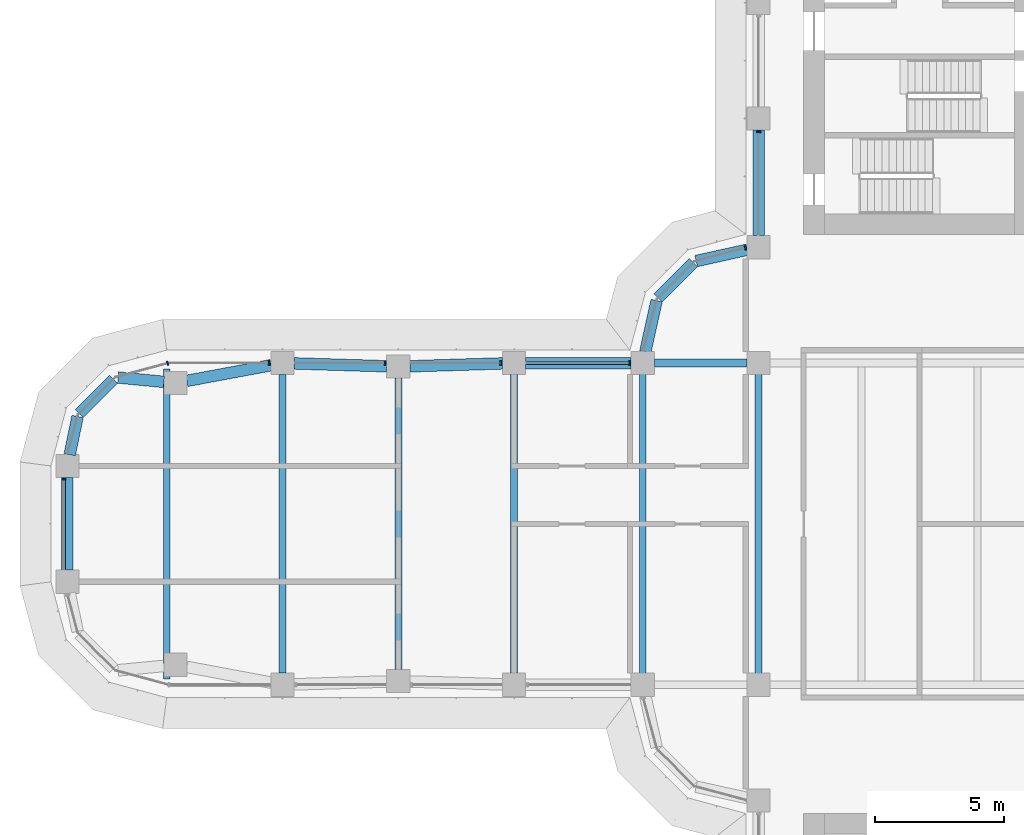
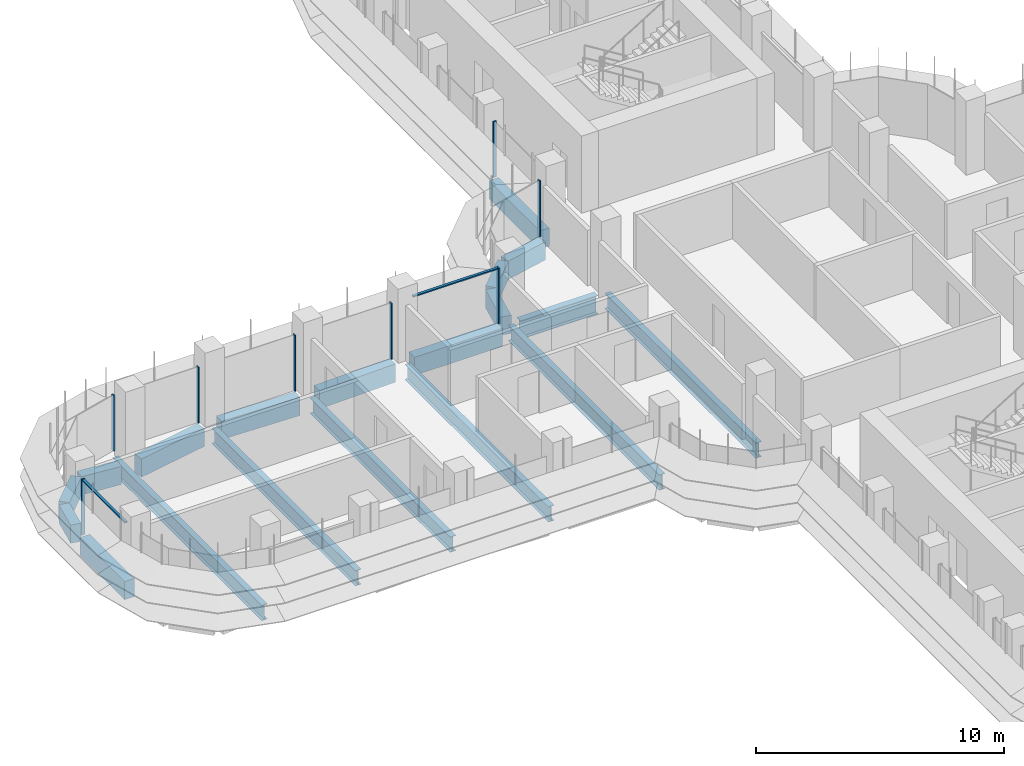
# One storey, part 6 of 22: 19 beams, 10 members, 5 elements without a shape of their own.
"""IFC4 building model written with IfcOpenShell, lengths in metres."""

from ifc_helpers import new_model, si_unit, direction, frame, origin, origin_2d, place, context, subcontext, project, spatial, polyline, rectangle, i_section, outline, extrude, source, transform, mapped, material, material_profile, profile_set, type_object, element, aggregate, save


model = new_model("IFC4")

# Units and contexts
model_context = context("Model", 3, precision=1e-05, world=origin(), true_north=direction((0.0, 1.0)))
body_context = subcontext(model_context, "Body", "Model", "MODEL_VIEW")
ifc_project = project(units=[si_unit("LENGTHUNIT", "METRE"), si_unit("AREAUNIT", "SQUARE_METRE"), si_unit("VOLUMEUNIT", "CUBIC_METRE"), si_unit("PLANEANGLEUNIT", "RADIAN"), si_unit("MASSUNIT", "GRAM", prefix="KILO")], contexts=[model_context])

# Site, building, storey
site_placement = place(None, origin())
site = spatial("IfcSite", under=ifc_project, at=site_placement, CompositionType="ELEMENT")
building_placement = place(site_placement, origin())
building = spatial("IfcBuilding", under=site, at=building_placement, Name="Zarbagh Exchange Tower", CompositionType="ELEMENT")
storey_placement = place(building_placement, frame((0.0, 0.0, 105.60009765625)))
storey = spatial("IfcBuildingStorey", under=building, at=storey_placement, Name="L24", CompositionType="ELEMENT", Elevation=105.60009765625)

# Beams
ifc_material_1 = material(Name="Steel ASTM A992 Gr 50", Category="steel")
ifc_material_profile_1 = material_profile(ifc_material_1, i_section(OverallWidth=0.2666015625, OverallDepth=0.7568359375, WebThickness=0.013916015625, FlangeThickness=0.019287109375, at=origin_2d()), Name="W30X108")
ifc_profile_set_1 = profile_set([ifc_material_profile_1], Name="Steel ASTM A992 Gr 50")
beam_type_1 = type_object("IfcBeamType", Name="Floor beam W30X108", PredefinedType="BEAM", material=ifc_profile_set_1)
for number, where, z_axis, x_axis, name in (
    (1, (-10.75, -6.09765625, -0.528564453125), (0.0, 1.0, 0.0), (-1.0, 0.0, 0.0), "Steel floor beam"),
    (2, (-6.25, -6.09765625, -0.528564453125), (0.0, 1.0, 0.0), (-1.0, 0.0, 0.0), "Steel floor beam"),
):
    element("IfcBeam", number, at=place(storey_placement, frame(where, z_axis=z_axis, x_axis=x_axis)), inside=storey, type_object=beam_type_1, Name=name, PredefinedType="BEAM", context=body_context, shape_type="SweptSolid", body=[
        extrude(i_section(OverallWidth=0.2666015625, OverallDepth=0.7568359375, WebThickness=0.013916015625, FlangeThickness=0.019287109375, at=origin_2d()), origin(), (0.0, 0.0, 1.0), 12.1953125),
    ])
beam_1_placement = place(storey_placement, frame((-15.75, -5.800048828125, -0.528564453125), z_axis=(0.0, 1.0, 0.0), x_axis=(-1.0, 0.0, 0.0)))
element("IfcBeam", 3, at=beam_1_placement, inside=storey, type_object=beam_type_1, Name="Steel floor beam", PredefinedType="BEAM", context=body_context, shape_type="SweptSolid", body=[
    extrude(i_section(OverallWidth=0.2666015625, OverallDepth=0.7568359375, WebThickness=0.013916015625, FlangeThickness=0.019287109375, at=origin_2d()), origin(), (0.0, 0.0, 1.0), 11.60009765625),
])
beam_2_placement = place(storey_placement, frame((-20.25, -5.659912109375, -0.528564453125), z_axis=(0.0, 1.0, 0.0), x_axis=(-1.0, 0.0, 0.0)))
element("IfcBeam", 4, at=beam_2_placement, inside=storey, type_object=beam_type_1, Name="Steel floor beam", PredefinedType="BEAM", context=body_context, shape_type="SweptSolid", body=[
    extrude(i_section(OverallWidth=0.2666015625, OverallDepth=0.7568359375, WebThickness=0.013916015625, FlangeThickness=0.019287109375, at=origin_2d()), origin(), (0.0, 0.0, 1.0), 11.31982421875),
])
beam_3_placement = place(storey_placement, frame((-24.75, -5.800048828125, -0.528564453125), z_axis=(0.0, 1.0, 0.0), x_axis=(-1.0, 0.0, 0.0)))
element("IfcBeam", 5, at=beam_3_placement, inside=storey, type_object=beam_type_1, Name="Steel floor beam", PredefinedType="BEAM", context=body_context, shape_type="SweptSolid", body=[
    extrude(i_section(OverallWidth=0.2666015625, OverallDepth=0.7568359375, WebThickness=0.013916015625, FlangeThickness=0.019287109375, at=origin_2d()), origin(), (0.0, 0.0, 1.0), 11.60009765625),
])
beam_4_placement = place(storey_placement, frame((-29.25, -6.02490234375, -0.528564453125), z_axis=(0.0, 1.0, 0.0), x_axis=(-1.0, 0.0, 0.0)))
element("IfcBeam", 6, at=beam_4_placement, inside=storey, type_object=beam_type_1, Name="Steel floor beam", PredefinedType="BEAM", context=body_context, shape_type="SweptSolid", body=[
    extrude(i_section(OverallWidth=0.2666015625, OverallDepth=0.7568359375, WebThickness=0.013916015625, FlangeThickness=0.019287109375, at=origin_2d()), origin(), (0.0, 0.0, 1.0), 12.0498046875),
])
ifc_material_profile_2 = material_profile(ifc_material_1, i_section(OverallWidth=0.3046875, OverallDepth=0.911865234375, WebThickness=0.015869140625, FlangeThickness=0.02392578125, at=origin_2d()), Name="W36X150")
ifc_profile_set_2 = profile_set([ifc_material_profile_2], Name="Steel ASTM A992 Gr 50")
beam_type_2 = type_object("IfcBeamType", Name="Floor girder W36X150", PredefinedType="BEAM", material=ifc_profile_set_2)
beam_5_placement = place(storey_placement, frame((-10.300048828125, 6.25, -0.60595703125), z_axis=(1.0, 0.0, 0.0), x_axis=(0.0, 1.0, 0.0)))
element("IfcBeam", 7, at=beam_5_placement, inside=storey, type_object=beam_type_2, Name="Steel girder", PredefinedType="BEAM", context=body_context, shape_type="SweptSolid", body=[
    extrude(i_section(OverallWidth=0.3046875, OverallDepth=0.911865234375, WebThickness=0.015869140625, FlangeThickness=0.02392578125, at=origin_2d()), origin(), (0.0, 0.0, 1.0), 3.60009765625),
])
ifc_material_2 = material(Name="Concrete C60/75", Category="concrete")
ifc_material_profile_3 = material_profile(ifc_material_2, rectangle(XDim=0.449951171875, YDim=0.89990234375, at=origin_2d()), Name="RC spandrel beam 450 x 900 C60/75")
ifc_profile_set_3 = profile_set([ifc_material_profile_3], Name="Concrete C60/75")
beam_type_3 = type_object("IfcBeamType", Name="RC spandrel beam 450 x 900 C60/75", PredefinedType="SPANDREL", material=ifc_profile_set_3)
beam_6_placement = place(storey_placement, frame((-33.110107421875, -1.800048828125, -0.60009765625), z_axis=(0.0, 1.0, 0.0), x_axis=(-1.0, 0.0, 0.0)))
element("IfcBeam", 8, at=beam_6_placement, inside=storey, type_object=beam_type_3, Name="RC spandrel beam", PredefinedType="SPANDREL", context=body_context, shape_type="SweptSolid", body=[
    extrude(rectangle(XDim=0.449951171875, YDim=0.89990234375, at=origin_2d()), origin(), (0.0, 0.0, 1.0), 3.60009765625),
])
beam_7_placement = place(storey_placement, frame((-33.01904296875, 2.690673828125, -0.60009765625), z_axis=(0.202275417995, 0.979328675816, 0.0), x_axis=(-0.979328675816, 0.202275417995, 0.0)))
element("IfcBeam", 9, at=beam_7_placement, inside=storey, type_object=beam_type_3, Name="RC spandrel beam", PredefinedType="SPANDREL", context=body_context, shape_type="SweptSolid", body=[
    extrude(rectangle(XDim=0.449951171875, YDim=0.89990234375, at=origin_2d()), origin(), (0.0, 0.0, 1.0), 1.515869140625),
])
beam_8_placement = place(storey_placement, frame((-32.651123046875, 4.288818359375, -0.60009765625), z_axis=(0.707106781187, 0.707106781187, 0.0), x_axis=(-0.707106781187, 0.707106781187, 0.0)))
element("IfcBeam", 10, at=beam_8_placement, inside=storey, type_object=beam_type_3, Name="RC spandrel beam", PredefinedType="SPANDREL", context=body_context, shape_type="SweptSolid", body=[
    extrude(rectangle(XDim=0.449951171875, YDim=0.89990234375, at=origin_2d()), origin(), (0.0, 0.0, 1.0), 1.887939453125),
])
beam_9_placement = place(storey_placement, frame((-31.135498046875, 5.688720703125, -0.60009765625), z_axis=(0.995433267802, -0.095459988228, 0.0), x_axis=(0.095459988228, 0.995433267802, 0.0)))
element("IfcBeam", 11, at=beam_9_placement, inside=storey, type_object=beam_type_3, Name="RC spandrel beam", PredefinedType="SPANDREL", context=body_context, shape_type="SweptSolid", body=[
    extrude(rectangle(XDim=0.449951171875, YDim=0.89990234375, at=origin_2d()), origin(), (0.0, 0.0, 1.0), 1.78759765625),
])
beam_10_placement = place(storey_placement, frame((-28.465576171875, 5.5576171875, -0.60009765625), z_axis=(0.98308156541, 0.183168326277, 0.0), x_axis=(-0.183168326277, 0.98308156541, 0.0)))
element("IfcBeam", 12, at=beam_10_placement, inside=storey, type_object=beam_type_3, Name="RC spandrel beam", PredefinedType="SPANDREL", context=body_context, shape_type="SweptSolid", body=[
    extrude(rectangle(XDim=0.449951171875, YDim=0.89990234375, at=origin_2d()), origin(), (0.0, 0.0, 1.0), 3.32958984375),
])
for number, where, z_axis, x_axis, name in (
    (13, (-24.30029296875, 6.236083984375, -0.60009765625), (0.999516035224, -0.031107801747, 0.0), (0.031107801747, 0.999516035224, 0.0), "RC spandrel beam"),
    (14, (-19.80029296875, 6.1240234375, -0.60009765625), (0.999516035224, 0.031107801747, 0.0), (-0.031107801747, 0.999516035224, 0.0), "RC spandrel beam"),
):
    element("IfcBeam", number, at=place(storey_placement, frame(where, z_axis=z_axis, x_axis=x_axis)), inside=storey, type_object=beam_type_3, Name=name, PredefinedType="SPANDREL", context=body_context, shape_type="SweptSolid", body=[
        extrude(rectangle(XDim=0.449951171875, YDim=0.89990234375, at=origin_2d()), origin(), (0.0, 0.0, 1.0), 3.602294921875),
    ])
beam_11_placement = place(storey_placement, frame((-15.300048828125, 6.25, -0.60009765625), z_axis=(1.0, 0.0, 0.0), x_axis=(0.0, 1.0, 0.0)))
element("IfcBeam", 15, at=beam_11_placement, inside=storey, type_object=beam_type_3, Name="RC spandrel beam", PredefinedType="SPANDREL", context=body_context, shape_type="SweptSolid", body=[
    extrude(rectangle(XDim=0.449951171875, YDim=0.89990234375, at=origin_2d()), origin(), (0.0, 0.0, 1.0), 4.10009765625),
])
beam_12_placement = place(storey_placement, frame((-10.65283203125, 6.689453125, -0.60009765625), z_axis=(0.216117666208, 0.976367325525, 0.0), x_axis=(-0.976367325525, 0.216117666208, 0.0)))
element("IfcBeam", 16, at=beam_12_placement, inside=storey, type_object=beam_type_3, Name="RC spandrel beam", PredefinedType="SPANDREL", context=body_context, shape_type="SweptSolid", body=[
    extrude(rectangle(XDim=0.449951171875, YDim=0.89990234375, at=origin_2d()), origin(), (0.0, 0.0, 1.0), 2.03564453125),
])
beam_13_placement = place(storey_placement, frame((-10.15234375, 8.78759765625, -0.60009765625), z_axis=(0.707106781187, 0.707106781187, 0.0), x_axis=(-0.707106781187, 0.707106781187, 0.0)))
element("IfcBeam", 17, at=beam_13_placement, inside=storey, type_object=beam_type_3, Name="RC spandrel beam", PredefinedType="SPANDREL", context=body_context, shape_type="SweptSolid", body=[
    extrude(rectangle(XDim=0.449951171875, YDim=0.89990234375, at=origin_2d()), origin(), (0.0, 0.0, 1.0), 1.929931640625),
])
beam_14_placement = place(storey_placement, frame((-8.677001953125, 10.212890625, -0.60009765625), z_axis=(0.976367325525, 0.216117666208, 0.0), x_axis=(-0.216117666208, 0.976367325525, 0.0)))
element("IfcBeam", 18, at=beam_14_placement, inside=storey, type_object=beam_type_3, Name="RC spandrel beam", PredefinedType="SPANDREL", context=body_context, shape_type="SweptSolid", body=[
    extrude(rectangle(XDim=0.449951171875, YDim=0.89990234375, at=origin_2d()), origin(), (0.0, 0.0, 1.0), 2.03564453125),
])
beam_15_placement = place(storey_placement, frame((-6.25, 11.199951171875, -0.60009765625), z_axis=(0.0, 1.0, 0.0), x_axis=(-1.0, 0.0, 0.0)))
element("IfcBeam", 19, at=beam_15_placement, inside=storey, type_object=beam_type_3, Name="RC spandrel beam", PredefinedType="SPANDREL", context=body_context, shape_type="SweptSolid", body=[
    extrude(rectangle(XDim=0.449951171875, YDim=0.89990234375, at=origin_2d()), origin(), (0.0, 0.0, 1.0), 4.10009765625),
])

# Curtain wall, member
ifc_material_3 = material(Name="Anodised aluminium frame and glazing", Category="aluminium")
curtain_wall_type = type_object("IfcCurtainWallType", Name="CWA Ribbon glazing, lower zones", PredefinedType="NOTDEFINED", material=ifc_material_3)
curtain_wall_1_placement = place(storey_placement, origin())
curtain_wall_1 = element("IfcCurtainWall", 20, at=curtain_wall_1_placement, inside=storey, type_object=curtain_wall_type, Name="CWA56 curtain wall", PredefinedType="NOTDEFINED")
ifc_material_4 = material(Name="Anodised aluminium frame", Category="aluminium")
member_type_1 = type_object("IfcMemberType", Name="MUA Mullion, anodised aluminium frame", PredefinedType="MULLION", material=ifc_material_4)
shared_shape_1 = source(origin(), body_context, "Body", "SweptSolid", [
    extrude(outline(polyline([(0.0, -0.080078125), (0.06005859375, -0.080078125), (0.06005859375, 0.080078125), (0.0, 0.080078125), (0.0, -0.080078125)])), origin(), (0.0, 0.0, 1.0), 2.75),
])
placement = place(storey_placement, origin())
member_1 = element("IfcMember", 21, at=placement, type_object=member_type_1, Name="CWA56 mullion 4.1", PredefinedType="MULLION", context=body_context, shape_type="MappedRepresentation", body=[
    mapped(shared_shape_1, transform((-6.25, 15.260009765625, 0.0), x_axis=(0.0, -1.0, 0.0), y_axis=(1.0, 0.0, 0.0), z_axis=(0.0, 0.0, 1.0))),
])
aggregate(curtain_wall_1, [member_1])

curtain_wall_2_placement = place(storey_placement, origin())
curtain_wall_2 = element("IfcCurtainWall", 22, at=curtain_wall_2_placement, inside=storey, type_object=curtain_wall_type, Name="CWA29 curtain wall", PredefinedType="NOTDEFINED")
member_2 = element("IfcMember", 23, at=placement, type_object=member_type_1, Name="CWA29 mullion 1.1", PredefinedType="MULLION", context=body_context, shape_type="MappedRepresentation", body=[
    mapped(shared_shape_1, transform((-6.739990234375, 10.735107421875, 0.0), x_axis=(-0.965924289636, -0.258824779902, 0.0), y_axis=(0.258824779902, -0.965924289636, 0.0), z_axis=(0.0, 0.0, 1.0))),
])
aggregate(curtain_wall_2, [member_2])

# Curtain wall, members
curtain_wall_3_placement = place(storey_placement, origin())
curtain_wall_3 = element("IfcCurtainWall", 24, at=curtain_wall_3_placement, inside=storey, type_object=curtain_wall_type, Name="CWA32 curtain wall", PredefinedType="NOTDEFINED")
member_3 = element("IfcMember", 25, at=placement, type_object=member_type_1, Name="CWA32 mullion 1.1", PredefinedType="MULLION", context=body_context, shape_type="MappedRepresentation", body=[
    mapped(shared_shape_1, transform((-11.239990234375, 6.25, 0.0), x_axis=(-1.0, 0.0, 0.0), y_axis=(0.0, -1.0, 0.0), z_axis=(0.0, 0.0, 1.0))),
])
member_4 = element("IfcMember", 26, at=placement, type_object=member_type_1, Name="CWA32 mullion 2.1", PredefinedType="MULLION", context=body_context, shape_type="MappedRepresentation", body=[
    mapped(shared_shape_1, transform((-16.239990234375, 6.25, 0.0), x_axis=(-1.0, 0.0, 0.0), y_axis=(0.0, -1.0, 0.0), z_axis=(0.0, 0.0, 1.0))),
])
member_5 = element("IfcMember", 27, at=placement, type_object=member_type_1, Name="CWA32 mullion 3.1", PredefinedType="MULLION", context=body_context, shape_type="MappedRepresentation", body=[
    mapped(shared_shape_1, transform((-20.739990234375, 6.25, 0.0), x_axis=(-1.0, 0.0, 0.0), y_axis=(0.0, -1.0, 0.0), z_axis=(0.0, 0.0, 1.0))),
])
member_6 = element("IfcMember", 28, at=placement, type_object=member_type_1, Name="CWA32 mullion 4.1", PredefinedType="MULLION", context=body_context, shape_type="MappedRepresentation", body=[
    mapped(shared_shape_1, transform((-25.239990234375, 6.25, 0.0), x_axis=(-1.0, 0.0, 0.0), y_axis=(0.0, -1.0, 0.0), z_axis=(0.0, 0.0, 1.0))),
])

# Curtain wall, member
curtain_wall_4_placement = place(storey_placement, origin())
curtain_wall_4 = element("IfcCurtainWall", 29, at=curtain_wall_4_placement, inside=storey, type_object=curtain_wall_type, Name="CWA33 curtain wall", PredefinedType="NOTDEFINED")
member_7 = element("IfcMember", 30, at=placement, type_object=member_type_1, Name="CWA33 mullion 1.1", PredefinedType="MULLION", context=body_context, shape_type="MappedRepresentation", body=[
    mapped(shared_shape_1, transform((-29.18408203125, 6.25, 0.0), x_axis=(-0.965924289636, -0.258824779902, 0.0), y_axis=(0.258824779902, -0.965924289636, 0.0), z_axis=(0.0, 0.0, 1.0))),
])
aggregate(curtain_wall_4, [member_7])

curtain_wall_5_placement = place(storey_placement, origin())
curtain_wall_5 = element("IfcCurtainWall", 31, at=curtain_wall_5_placement, inside=storey, type_object=curtain_wall_type, Name="CWA36 curtain wall", PredefinedType="NOTDEFINED")
member_8 = element("IfcMember", 32, at=placement, type_object=member_type_1, Name="CWA36 mullion 1.1", PredefinedType="MULLION", context=body_context, shape_type="MappedRepresentation", body=[
    mapped(shared_shape_1, transform((-33.25, 1.760009765625, 0.0), x_axis=(0.0, -1.0, 0.0), y_axis=(1.0, 0.0, 0.0), z_axis=(0.0, 0.0, 1.0))),
])

# Member
member_type_2 = type_object("IfcMemberType", Name="TRA Transom, anodised aluminium frame", PredefinedType="USERDEFINED", material=ifc_material_4)
shared_shape_2 = source(origin(), body_context, "Body", "SweptSolid", [
    extrude(outline(polyline([(-0.06005859375, -0.06005859375), (0.0, -0.06005859375), (0.0, 0.06005859375), (-0.06005859375, 0.06005859375), (-0.06005859375, -0.06005859375)])), origin(), (0.0, 0.0, 1.0), 3.9599609375),
])
member_9 = element("IfcMember", 33, at=placement, type_object=member_type_2, Name="CWA32 transom 1.1", ObjectType="TRANSOM", PredefinedType="USERDEFINED", context=body_context, shape_type="MappedRepresentation", body=[
    mapped(shared_shape_2, transform((-11.300048828125, 6.25, 2.75), x_axis=(0.0, 0.0, 1.0), y_axis=(0.0, 1.0, 0.0), z_axis=(-1.0, 0.0, 0.0))),
])

aggregate(curtain_wall_3, [member_3, member_9, member_4, member_5, member_6])

shared_shape_3 = source(origin(), body_context, "Body", "SweptSolid", [
    extrude(outline(polyline([(-0.06005859375, -0.06005859375), (0.0, -0.06005859375), (0.0, 0.06005859375), (-0.06005859375, 0.06005859375), (-0.06005859375, -0.06005859375)])), origin(), (0.0, 0.0, 1.0), 3.4599609375),
])
member_10 = element("IfcMember", 34, at=placement, type_object=member_type_2, Name="CWA36 transom 1.1", ObjectType="TRANSOM", PredefinedType="USERDEFINED", context=body_context, shape_type="MappedRepresentation", body=[
    mapped(shared_shape_3, transform((-33.25, 1.699951171875, 2.75), x_axis=(0.0, 0.0, 1.0), y_axis=(-1.0, 0.0, 0.0), z_axis=(0.0, -1.0, 0.0))),
])

aggregate(curtain_wall_5, [member_8, member_10])

save(model, "model.ifc")
